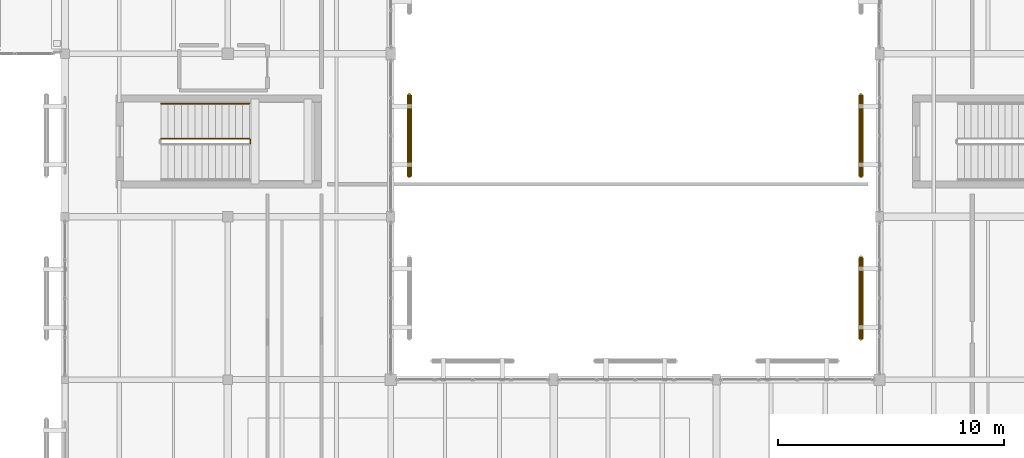
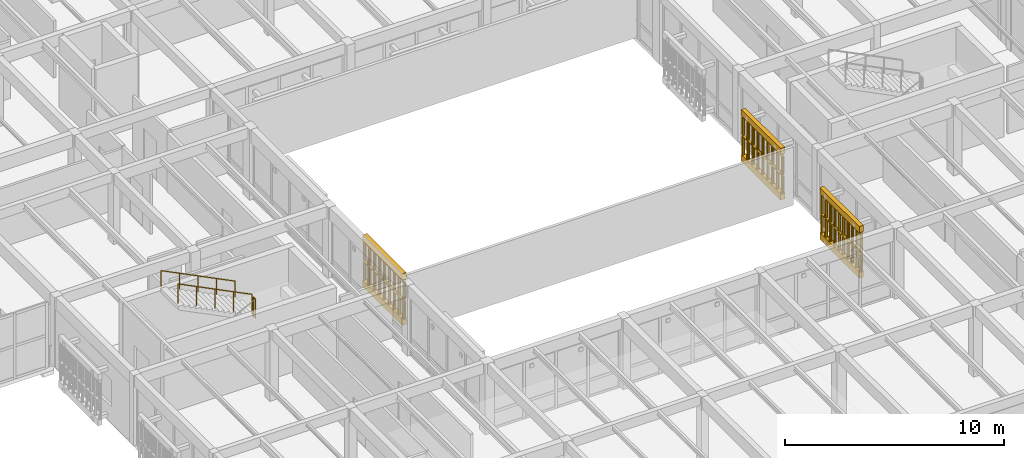
# One storey, part 214 of 217: 9 railings, 6 coverings.
"""IFC4 building model written with IfcOpenShell, lengths in metres."""

from ifc_helpers import new_model, si_unit, direction, frame, origin, origin_2d, place, context, subcontext, project, spatial, polyline, circle, outline, extrude, material, layer, layer_set, type_object, element, save


model = new_model("IFC4")

# Units and contexts
model_context = context("Model", 3, precision=1e-05, world=origin(), true_north=direction((0.0, 1.0)))
body_context = subcontext(model_context, "Body", "Model", "MODEL_VIEW")
ifc_project = project(units=[si_unit("LENGTHUNIT", "METRE"), si_unit("AREAUNIT", "SQUARE_METRE"), si_unit("VOLUMEUNIT", "CUBIC_METRE"), si_unit("PLANEANGLEUNIT", "RADIAN"), si_unit("MASSUNIT", "GRAM", prefix="KILO")], contexts=[model_context])

# Site, building, storey
site_placement = place(None, origin())
site = spatial("IfcSite", under=ifc_project, at=site_placement, CompositionType="ELEMENT")
building_placement = place(site_placement, origin())
building = spatial("IfcBuilding", under=site, at=building_placement, Name="Mazaris Harbour Polytechnic", CompositionType="ELEMENT")
storey_placement = place(building_placement, frame((0.0, 0.0, 9.60009765625)))
storey = spatial("IfcBuildingStorey", under=building, at=storey_placement, Name="L02", CompositionType="ELEMENT", Elevation=9.60009765625)

# Railings
ifc_material_1 = material(Name="Perforated Earth-Coloured Terracotta Block", Category="masonry")
railing_type_1 = type_object("IfcRailingType", Name="Perforated Earth-Block Claustra Lattice 1040", PredefinedType="BALUSTRADE", material=ifc_material_1)
for number, where, name in (
    (1, (137.6201171875, 70.18505859375, 0.52001953125), "V5 L02 Lower Perforated Terracotta Block Screen 441"),
    (2, (137.6201171875, 70.18505859375, 1.60986328125), "V5 L02 Upper Perforated Terracotta Block Screen 441"),
):
    element("IfcRailing", number, at=place(storey_placement, frame(where)), inside=storey, type_object=railing_type_1, Name=name, PredefinedType="BALUSTRADE", context=body_context, shape_type="SweptSolid", body=[
        extrude(circle(Radius=0.06982421875, at=origin_2d()), frame((0.0, 0.0, 1.02001953125), z_axis=(0.0, 1.0, 0.0), x_axis=(-1.0, 0.0, 0.0)), (0.0, 0.0, 1.0), 3.599853515625),
        extrude(circle(Radius=0.074951171875, at=origin_2d()), origin(), (0.0, 0.0, 1.0), 0.9501953125),
        extrude(circle(Radius=0.074951171875, at=origin_2d()), frame((0.0, 0.449951171875, 0.0)), (0.0, 0.0, 1.0), 0.9501953125),
        extrude(circle(Radius=0.074951171875, at=origin_2d()), frame((0.0, 0.89990234375, 0.0)), (0.0, 0.0, 1.0), 0.9501953125),
        extrude(circle(Radius=0.074951171875, at=origin_2d()), frame((0.0, 1.349853515625, 0.0)), (0.0, 0.0, 1.0), 0.9501953125),
        extrude(circle(Radius=0.074951171875, at=origin_2d()), frame((0.0, 1.7998046875, 0.0)), (0.0, 0.0, 1.0), 0.9501953125),
        extrude(circle(Radius=0.074951171875, at=origin_2d()), frame((0.0, 2.25, 0.0)), (0.0, 0.0, 1.0), 0.9501953125),
        extrude(circle(Radius=0.074951171875, at=origin_2d()), frame((0.0, 2.699951171875, 0.0)), (0.0, 0.0, 1.0), 0.9501953125),
        extrude(circle(Radius=0.074951171875, at=origin_2d()), frame((0.0, 3.14990234375, 0.0)), (0.0, 0.0, 1.0), 0.9501953125),
        extrude(circle(Radius=0.074951171875, at=origin_2d()), frame((0.0, 3.599853515625, 0.0)), (0.0, 0.0, 1.0), 0.9501953125),
    ])
for number, where, name in (
    (3, (157.580078125, 66.60498046875, 0.52001953125), "V5 L02 Lower Perforated Terracotta Block Screen 443"),
    (4, (157.580078125, 66.60498046875, 1.60986328125), "V5 L02 Upper Perforated Terracotta Block Screen 443"),
):
    element("IfcRailing", number, at=place(storey_placement, frame(where)), inside=storey, type_object=railing_type_1, Name=name, PredefinedType="BALUSTRADE", context=body_context, shape_type="SweptSolid", body=[
        extrude(circle(Radius=0.06982421875, at=origin_2d()), frame((0.0, 0.0, 1.02001953125), z_axis=(0.0, -1.0, 0.0), x_axis=(1.0, 0.0, 0.0)), (0.0, 0.0, 1.0), 3.60009765625),
        extrude(circle(Radius=0.074951171875, at=origin_2d()), origin(), (0.0, 0.0, 1.0), 0.9501953125),
        extrude(circle(Radius=0.074951171875, at=origin_2d()), frame((0.0, -0.39990234375, 0.0)), (0.0, 0.0, 1.0), 0.9501953125),
        extrude(circle(Radius=0.074951171875, at=origin_2d()), frame((0.0, -0.800048828125, 0.0)), (0.0, 0.0, 1.0), 0.9501953125),
        extrude(circle(Radius=0.074951171875, at=origin_2d()), frame((0.0, -1.199951171875, 0.0)), (0.0, 0.0, 1.0), 0.9501953125),
        extrude(circle(Radius=0.074951171875, at=origin_2d()), frame((0.0, -1.60009765625, 0.0)), (0.0, 0.0, 1.0), 0.9501953125),
        extrude(circle(Radius=0.074951171875, at=origin_2d()), frame((0.0, -2.0, 0.0)), (0.0, 0.0, 1.0), 0.9501953125),
        extrude(circle(Radius=0.074951171875, at=origin_2d()), frame((0.0, -2.400146484375, 0.0)), (0.0, 0.0, 1.0), 0.9501953125),
        extrude(circle(Radius=0.074951171875, at=origin_2d()), frame((0.0, -2.800048828125, 0.0)), (0.0, 0.0, 1.0), 0.9501953125),
        extrude(circle(Radius=0.074951171875, at=origin_2d()), frame((0.0, -3.2001953125, 0.0)), (0.0, 0.0, 1.0), 0.9501953125),
        extrude(circle(Radius=0.074951171875, at=origin_2d()), frame((0.0, -3.60009765625, 0.0)), (0.0, 0.0, 1.0), 0.9501953125),
    ])
for number, where, name in (
    (5, (157.580078125, 73.784912109375, 0.52001953125), "V5 L02 Lower Perforated Terracotta Block Screen 444"),
    (6, (157.580078125, 73.784912109375, 1.60986328125), "V5 L02 Upper Perforated Terracotta Block Screen 444"),
):
    element("IfcRailing", number, at=place(storey_placement, frame(where)), inside=storey, type_object=railing_type_1, Name=name, PredefinedType="BALUSTRADE", context=body_context, shape_type="SweptSolid", body=[
        extrude(circle(Radius=0.06982421875, at=origin_2d()), frame((0.0, 0.0, 1.02001953125), z_axis=(0.0, -1.0, 0.0), x_axis=(1.0, 0.0, 0.0)), (0.0, 0.0, 1.0), 3.599853515625),
        extrude(circle(Radius=0.074951171875, at=origin_2d()), origin(), (0.0, 0.0, 1.0), 0.9501953125),
        extrude(circle(Radius=0.074951171875, at=origin_2d()), frame((0.0, -0.449951171875, 0.0)), (0.0, 0.0, 1.0), 0.9501953125),
        extrude(circle(Radius=0.074951171875, at=origin_2d()), frame((0.0, -0.89990234375, 0.0)), (0.0, 0.0, 1.0), 0.9501953125),
        extrude(circle(Radius=0.074951171875, at=origin_2d()), frame((0.0, -1.349853515625, 0.0)), (0.0, 0.0, 1.0), 0.9501953125),
        extrude(circle(Radius=0.074951171875, at=origin_2d()), frame((0.0, -1.7998046875, 0.0)), (0.0, 0.0, 1.0), 0.9501953125),
        extrude(circle(Radius=0.074951171875, at=origin_2d()), frame((0.0, -2.25, 0.0)), (0.0, 0.0, 1.0), 0.9501953125),
        extrude(circle(Radius=0.074951171875, at=origin_2d()), frame((0.0, -2.699951171875, 0.0)), (0.0, 0.0, 1.0), 0.9501953125),
        extrude(circle(Radius=0.074951171875, at=origin_2d()), frame((0.0, -3.14990234375, 0.0)), (0.0, 0.0, 1.0), 0.9501953125),
        extrude(circle(Radius=0.074951171875, at=origin_2d()), frame((0.0, -3.599853515625, 0.0)), (0.0, 0.0, 1.0), 0.9501953125),
    ])
ifc_material_2 = material(Name="Stainless Steel S355", Category="steel")
railing_type_2 = type_object("IfcRailingType", Name="Stair Wall Handrail 900", PredefinedType="HANDRAIL", material=ifc_material_2)
railing_1_placement = place(storey_placement, frame((130.550048828125, 73.39990234375, 2.25)))
element("IfcRailing", 7, at=railing_1_placement, inside=storey, type_object=railing_type_2, Name="L02 ST09 stair handrail 2", PredefinedType="HANDRAIL", context=body_context, shape_type="SweptSolid", body=[
    extrude(circle(Radius=0.02392578125, at=origin_2d()), frame((0.0, 0.0, 0.8759765625), z_axis=(-0.894438388696, 0.0, 0.447191199406), x_axis=(0.0, -1.0, 0.0)), (0.0, 0.0, 1.0), 4.3603515625),
    extrude(circle(Radius=0.02099609375, at=origin_2d()), origin(), (0.0, 0.0, 1.0), 0.851806640625),
    extrude(circle(Radius=0.02099609375, at=origin_2d()), frame((-0.97509765625, 0.0, 0.487548828125)), (0.0, 0.0, 1.0), 0.851806640625),
    extrude(circle(Radius=0.02099609375, at=origin_2d()), frame((-1.9501953125, 0.0, 0.97509765625)), (0.0, 0.0, 1.0), 0.851806640625),
    extrude(circle(Radius=0.02099609375, at=origin_2d()), frame((-2.925048828125, 0.0, 1.46240234375)), (0.0, 0.0, 1.0), 0.851806640625),
    extrude(circle(Radius=0.02099609375, at=origin_2d()), frame((-3.900146484375, 0.0, 1.949951171875)), (0.0, 0.0, 1.0), 0.851806640625),
])
ifc_material_3 = material(Name="Steel S355", Category="steel")
railing_type_3 = type_object("IfcRailingType", Name="Stair Well Guardrail 1100", PredefinedType="GUARDRAIL", material=ifc_material_3)
railing_2_placement = place(storey_placement, frame((130.60009765625, 71.64990234375, 2.099853515625)))
element("IfcRailing", 8, at=railing_2_placement, inside=storey, type_object=railing_type_3, Name="L02 ST09 stair guard 2", PredefinedType="GUARDRAIL", context=body_context, shape_type="SweptSolid", body=[
    extrude(circle(Radius=0.02392578125, at=origin_2d()), frame((0.0, 0.0, 1.076171875), z_axis=(0.0, 1.0, 0.0), x_axis=(-1.0, 0.0, 0.0)), (0.0, 0.0, 1.0), 0.150146484375),
    extrude(circle(Radius=0.02099609375, at=origin_2d()), origin(), (0.0, 0.0, 1.0), 1.052001953125),
    extrude(circle(Radius=0.02099609375, at=origin_2d()), frame((0.0, 0.150146484375, 0.0)), (0.0, 0.0, 1.0), 1.052001953125),
])
railing_3_placement = place(storey_placement, frame((130.550048828125, 71.85009765625, 2.25)))
element("IfcRailing", 9, at=railing_3_placement, inside=storey, type_object=railing_type_3, Name="L02 ST09 stair guard 3", PredefinedType="GUARDRAIL", context=body_context, shape_type="SweptSolid", body=[
    extrude(circle(Radius=0.02392578125, at=origin_2d()), frame((0.0, 0.0, 1.076171875), z_axis=(-0.894438388696, 0.0, 0.447191199406), x_axis=(0.0, -1.0, 0.0)), (0.0, 0.0, 1.0), 4.3603515625),
    extrude(circle(Radius=0.02099609375, at=origin_2d()), origin(), (0.0, 0.0, 1.0), 1.052001953125),
    extrude(circle(Radius=0.02099609375, at=origin_2d()), frame((-0.97509765625, 0.0, 0.487548828125)), (0.0, 0.0, 1.0), 1.052001953125),
    extrude(circle(Radius=0.02099609375, at=origin_2d()), frame((-1.9501953125, 0.0, 0.97509765625)), (0.0, 0.0, 1.0), 1.052001953125),
    extrude(circle(Radius=0.02099609375, at=origin_2d()), frame((-2.925048828125, 0.0, 1.46240234375)), (0.0, 0.0, 1.0), 1.052001953125),
    extrude(circle(Radius=0.02099609375, at=origin_2d()), frame((-3.900146484375, 0.0, 1.949951171875)), (0.0, 0.0, 1.0), 1.052001953125),
])

# Coverings
ifc_material_4 = material(Name="Perforated Earth-Coloured Terracotta Block", Category="masonry")
ifc_layer = layer(ifc_material_4, 0.219970703125, Name="Perforated Earth-Coloured Terracotta Block")
ifc_layer_set = layer_set([ifc_layer], Name="Perforated Earth-Coloured Terracotta Block")
covering_type = type_object("IfcCoveringType", Name="Terracotta Screen Course Cladding 220", PredefinedType="CLADDING", material=ifc_layer_set)
covering_1_placement = place(storey_placement, frame((0.0, 0.0, 0.159912109375)))
element("IfcCovering", 10, at=covering_1_placement, inside=storey, type_object=covering_type, Name="V5 L02 Perforated Screen Sill Course 441", PredefinedType="CLADDING", context=body_context, shape_type="SweptSolid", body=[
    extrude(outline(polyline([(137.510009765625, 70.18505859375), (137.510009765625, 73.784912109375), (137.72998046875, 73.784912109375), (137.72998046875, 70.18505859375), (137.510009765625, 70.18505859375)])), origin(), (0.0, 0.0, 1.0), 0.360107421875),
])
covering_2_placement = place(storey_placement, frame((0.0, 0.0, 2.699951171875)))
element("IfcCovering", 11, at=covering_2_placement, inside=storey, type_object=covering_type, Name="V5 L02 Perforated Screen Lintel Course 441", PredefinedType="CLADDING", context=body_context, shape_type="SweptSolid", body=[
    extrude(outline(polyline([(137.510009765625, 70.18505859375), (137.510009765625, 73.784912109375), (137.72998046875, 73.784912109375), (137.72998046875, 70.18505859375), (137.510009765625, 70.18505859375)])), origin(), (0.0, 0.0, 1.0), 0.33984375),
])
covering_3_placement = place(storey_placement, frame((0.0, 0.0, 0.159912109375)))
element("IfcCovering", 12, at=covering_3_placement, inside=storey, type_object=covering_type, Name="V5 L02 Perforated Screen Sill Course 443", PredefinedType="CLADDING", context=body_context, shape_type="SweptSolid", body=[
    extrude(outline(polyline([(157.68994140625, 66.60498046875), (157.68994140625, 63.0048828125), (157.469970703125, 63.0048828125), (157.469970703125, 66.60498046875), (157.68994140625, 66.60498046875)])), origin(), (0.0, 0.0, 1.0), 0.360107421875),
])
covering_4_placement = place(storey_placement, frame((0.0, 0.0, 2.699951171875)))
element("IfcCovering", 13, at=covering_4_placement, inside=storey, type_object=covering_type, Name="V5 L02 Perforated Screen Lintel Course 443", PredefinedType="CLADDING", context=body_context, shape_type="SweptSolid", body=[
    extrude(outline(polyline([(157.68994140625, 66.60498046875), (157.68994140625, 63.0048828125), (157.469970703125, 63.0048828125), (157.469970703125, 66.60498046875), (157.68994140625, 66.60498046875)])), origin(), (0.0, 0.0, 1.0), 0.33984375),
])
covering_5_placement = place(storey_placement, frame((0.0, 0.0, 0.159912109375)))
element("IfcCovering", 14, at=covering_5_placement, inside=storey, type_object=covering_type, Name="V5 L02 Perforated Screen Sill Course 444", PredefinedType="CLADDING", context=body_context, shape_type="SweptSolid", body=[
    extrude(outline(polyline([(157.68994140625, 73.784912109375), (157.68994140625, 70.18505859375), (157.469970703125, 70.18505859375), (157.469970703125, 73.784912109375), (157.68994140625, 73.784912109375)])), origin(), (0.0, 0.0, 1.0), 0.360107421875),
])
covering_6_placement = place(storey_placement, frame((0.0, 0.0, 2.699951171875)))
element("IfcCovering", 15, at=covering_6_placement, inside=storey, type_object=covering_type, Name="V5 L02 Perforated Screen Lintel Course 444", PredefinedType="CLADDING", context=body_context, shape_type="SweptSolid", body=[
    extrude(outline(polyline([(157.68994140625, 73.784912109375), (157.68994140625, 70.18505859375), (157.469970703125, 70.18505859375), (157.469970703125, 73.784912109375), (157.68994140625, 73.784912109375)])), origin(), (0.0, 0.0, 1.0), 0.33984375),
])

save(model, "model.ifc")
